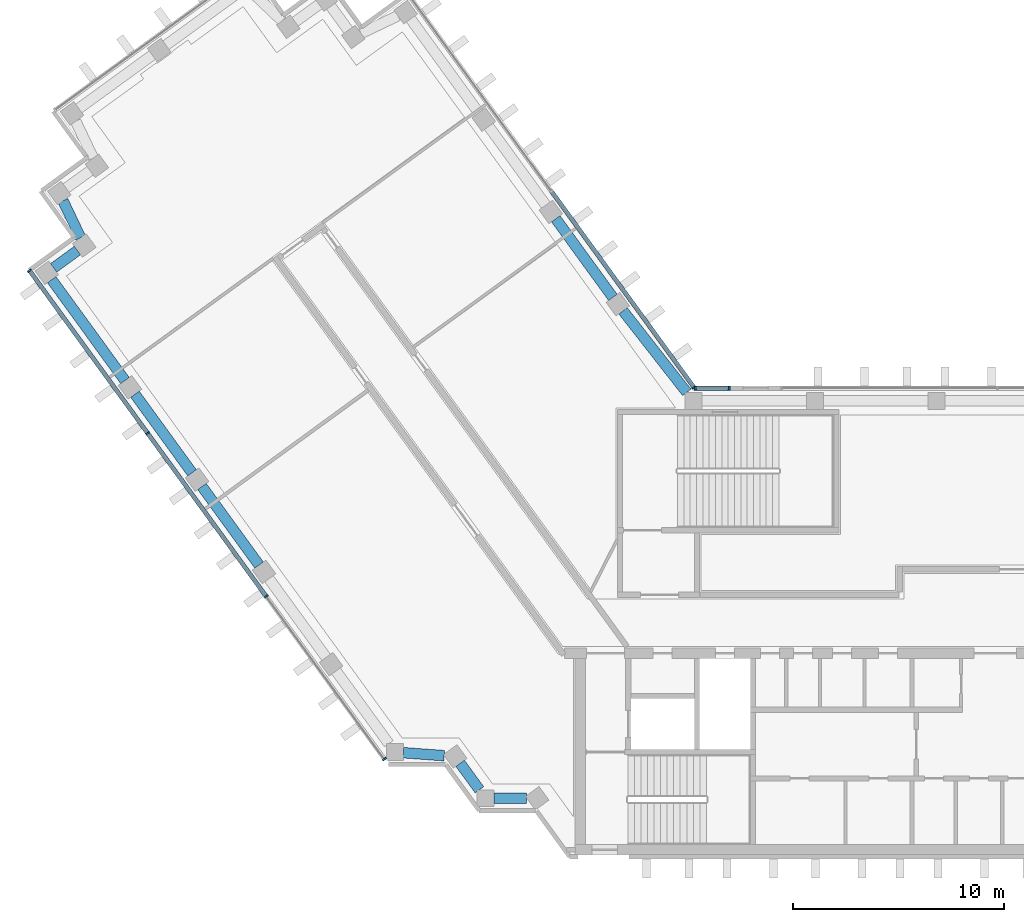
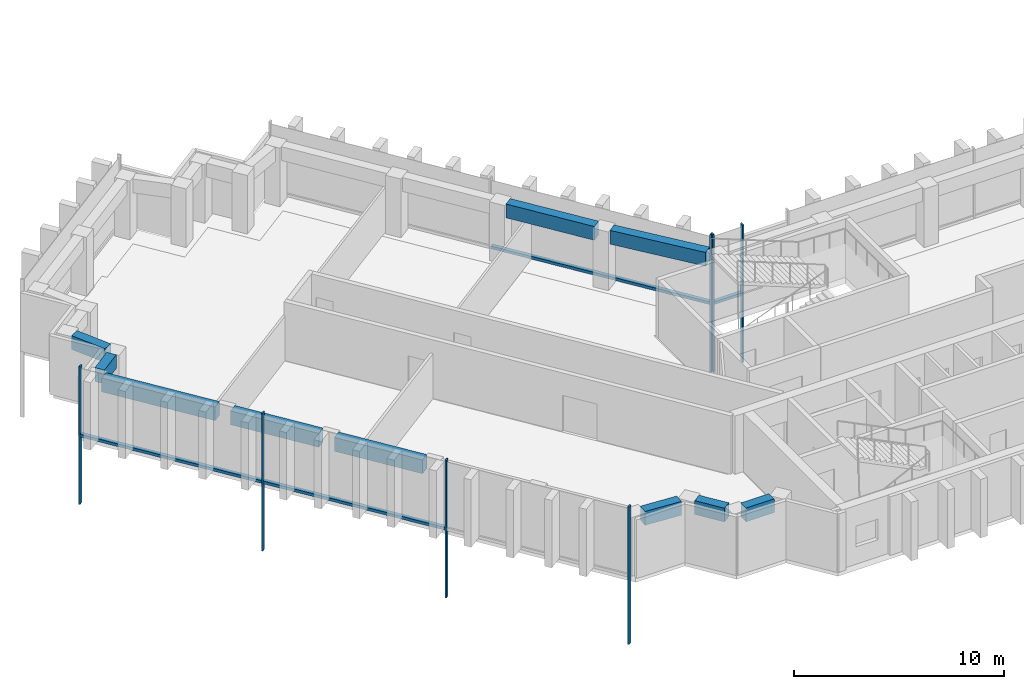
# One storey, part 2 of 13: 11 members, 10 beams, 3 elements without a shape of their own.
"""IFC4 building model written with IfcOpenShell, lengths in metres."""

from ifc_helpers import new_model, si_unit, direction, frame, origin, origin_2d, place, context, subcontext, project, spatial, rectangle, extrude, material, material_profile, profile_set, type_object, element, aggregate, save


model = new_model("IFC4")

# Units and contexts
model_context = context("Model", 3, precision=1e-05, world=origin(), true_north=direction((0.0, 1.0)))
body_context = subcontext(model_context, "Body", "Model", "MODEL_VIEW")
ifc_project = project(units=[si_unit("LENGTHUNIT", "METRE"), si_unit("AREAUNIT", "SQUARE_METRE"), si_unit("VOLUMEUNIT", "CUBIC_METRE"), si_unit("PLANEANGLEUNIT", "RADIAN"), si_unit("MASSUNIT", "GRAM", prefix="KILO")], contexts=[model_context])

# Site, building, storey
site_placement = place(None, origin())
site = spatial("IfcSite", under=ifc_project, at=site_placement, CompositionType="ELEMENT")
building_placement = place(site_placement, origin())
building = spatial("IfcBuilding", under=site, at=building_placement, Name="Quipu Civic Tower", CompositionType="ELEMENT")
storey_placement = place(building_placement, frame((0.0, 0.0, 184.0)))
storey = spatial("IfcBuildingStorey", under=building, at=storey_placement, Name="L43", CompositionType="ELEMENT", Elevation=184.0)

# Curtain wall, member
ifc_material_1 = material(Name="Insulated glass unit", Category="glass")
curtain_wall_type = type_object("IfcCurtainWallType", Name="Office curtain wall CW1", PredefinedType="NOTDEFINED", material=ifc_material_1)
curtain_wall_1_placement = place(storey_placement, origin())
curtain_wall_1 = element("IfcCurtainWall", 1, at=curtain_wall_1_placement, inside=storey, type_object=curtain_wall_type, Name="Office curtain wall CW1 L42 run 1", PredefinedType="NOTDEFINED")
ifc_material_2 = material(Name="Anodised aluminium", Category="aluminium")
ifc_material_profile_1 = material_profile(ifc_material_2, rectangle(XDim=0.199951171875, YDim=0.080078125, at=origin_2d()), Name="RECT 200x80")
ifc_profile_set_1 = profile_set([ifc_material_profile_1], Name="Anodised aluminium")
member_type_1 = type_object("IfcMemberType", Name="Mullion CW1", PredefinedType="MULLION", material=ifc_profile_set_1)
member_1_placement = place(storey_placement, frame((-14.36767578125, 11.13232421875, -3.919921875), z_axis=(0.0, 0.0, 1.0), x_axis=(-0.809014469803, -0.587788727052, 0.0)))
member_1 = element("IfcMember", 2, at=member_1_placement, type_object=member_type_1, Name="CW1 mullion 1", PredefinedType="MULLION", context=body_context, shape_type="SweptSolid", body=[
    extrude(rectangle(XDim=0.199951171875, YDim=0.080078125, at=origin_2d()), origin(), (0.0, 0.0, 1.0), 8.0),
])

# Curtain wall, members
curtain_wall_2_placement = place(storey_placement, origin())
curtain_wall_2 = element("IfcCurtainWall", 3, at=curtain_wall_2_placement, inside=storey, type_object=curtain_wall_type, Name="Office curtain wall CW1 L42 run 8", PredefinedType="NOTDEFINED")
member_2_placement = place(storey_placement, frame((-45.825927734375, 16.661865234375, -3.919921875), z_axis=(0.0, 0.0, 1.0), x_axis=(0.80901667469, 0.5877856923, 0.0)))
member_2 = element("IfcMember", 4, at=member_2_placement, type_object=member_type_1, Name="CW1 mullion 1", PredefinedType="MULLION", context=body_context, shape_type="SweptSolid", body=[
    extrude(rectangle(XDim=0.199951171875, YDim=0.080078125, at=origin_2d()), origin(), (0.0, 0.0, 1.0), 8.0),
])
member_3_placement = place(storey_placement, frame((-40.23486328125, 8.966552734375, -3.919921875), z_axis=(0.0, 0.0, 1.0), x_axis=(0.80901667469, 0.5877856923, 0.0)))
member_3 = element("IfcMember", 5, at=member_3_placement, type_object=member_type_1, Name="CW1 mullion 2", PredefinedType="MULLION", context=body_context, shape_type="SweptSolid", body=[
    extrude(rectangle(XDim=0.199951171875, YDim=0.080078125, at=origin_2d()), origin(), (0.0, 0.0, 1.0), 8.0),
])
member_4_placement = place(storey_placement, frame((-34.620361328125, 1.23876953125, -3.919921875), z_axis=(0.0, 0.0, 1.0), x_axis=(0.80901667469, 0.5877856923, 0.0)))
member_4 = element("IfcMember", 6, at=member_4_placement, type_object=member_type_1, Name="CW1 mullion 3", PredefinedType="MULLION", context=body_context, shape_type="SweptSolid", body=[
    extrude(rectangle(XDim=0.199951171875, YDim=0.080078125, at=origin_2d()), origin(), (0.0, 0.0, 1.0), 8.0),
])
member_5_placement = place(storey_placement, frame((-29.029296875, -6.45654296875, -3.919921875), z_axis=(0.0, 0.0, 1.0), x_axis=(0.80901667469, 0.5877856923, 0.0)))
member_5 = element("IfcMember", 7, at=member_5_placement, type_object=member_type_1, Name="CW1 mullion 4", PredefinedType="MULLION", context=body_context, shape_type="SweptSolid", body=[
    extrude(rectangle(XDim=0.199951171875, YDim=0.080078125, at=origin_2d()), origin(), (0.0, 0.0, 1.0), 8.0),
])

curtain_wall_3_placement = place(storey_placement, origin())
curtain_wall_3 = element("IfcCurtainWall", 8, at=curtain_wall_3_placement, inside=storey, type_object=curtain_wall_type, Name="Office curtain wall CW1 L42 run 35", PredefinedType="NOTDEFINED")
member_6_placement = place(storey_placement, frame((-12.695068359375, 11.10009765625, -3.919921875), z_axis=(0.0, 0.0, 1.0), x_axis=(0.0, -1.0, 0.0)))
member_6 = element("IfcMember", 9, at=member_6_placement, type_object=member_type_1, Name="CW1 mullion 1", PredefinedType="MULLION", context=body_context, shape_type="SweptSolid", body=[
    extrude(rectangle(XDim=0.199951171875, YDim=0.080078125, at=origin_2d()), origin(), (0.0, 0.0, 1.0), 8.0),
])
member_7_placement = place(storey_placement, frame((-14.30419921875, 11.10009765625, -3.919921875), z_axis=(0.0, 0.0, 1.0), x_axis=(0.0, -1.0, 0.0)))
member_7 = element("IfcMember", 10, at=member_7_placement, type_object=member_type_1, Name="CW1 mullion 2", PredefinedType="MULLION", context=body_context, shape_type="SweptSolid", body=[
    extrude(rectangle(XDim=0.199951171875, YDim=0.080078125, at=origin_2d()), origin(), (0.0, 0.0, 1.0), 8.0),
])

# Beams
ifc_material_3 = material(Name="Concrete C50/60", Category="concrete")
ifc_material_profile_2 = material_profile(ifc_material_3, rectangle(XDim=0.5, YDim=0.800048828125, at=origin_2d()), Name="RC500x800")
ifc_profile_set_2 = profile_set([ifc_material_profile_2], Name="Concrete C50/60")
beam_type = type_object("IfcBeamType", Name="Spandrel beam RC 500x800 C50/60", PredefinedType="SPANDREL", material=ifc_profile_set_2)
beam_1_placement = place(storey_placement, frame((-18.208740234375, 15.398681640625, 3.0), z_axis=(-0.58776136044, 0.809034352283, 0.0), x_axis=(-0.809034352283, -0.58776136044, 0.0)))
element("IfcBeam", 11, at=beam_1_placement, inside=storey, type_object=beam_type, Name="Spandrel beam L43 W-IN-01 to W-IN-02", PredefinedType="SPANDREL", context=body_context, shape_type="SweptSolid", body=[
    extrude(rectangle(XDim=0.5, YDim=0.800048828125, at=origin_2d()), origin(), (0.0, 0.0, 1.0), 4.599853515625),
])
beam_2_placement = place(storey_placement, frame((-44.23974609375, 19.9677734375, 3.0), z_axis=(0.430785642718, -0.902454281406, 0.0), x_axis=(0.902454281406, 0.430785642718, 0.0)))
element("IfcBeam", 12, at=beam_2_placement, inside=storey, type_object=beam_type, Name="Spandrel beam L43 T-Wo.2-W34 to T-Wo.3-W34", PredefinedType="SPANDREL", context=body_context, shape_type="SweptSolid", body=[
    extrude(rectangle(XDim=0.5, YDim=0.800048828125, at=origin_2d()), origin(), (0.0, 0.0, 1.0), 1.934814453125),
])
beam_3_placement = place(storey_placement, frame((-43.554443359375, 17.619140625, 3.0), z_axis=(-0.808600329101, -0.588358315805, 0.0), x_axis=(0.588358315805, -0.808600329101, 0.0)))
element("IfcBeam", 13, at=beam_3_placement, inside=storey, type_object=beam_type, Name="Spandrel beam L43 T-Wo.3-W34 to T-Wo.4-W34", PredefinedType="SPANDREL", context=body_context, shape_type="SweptSolid", body=[
    extrude(rectangle(XDim=0.5, YDim=0.800048828125, at=origin_2d()), origin(), (0.0, 0.0, 1.0), 1.400146484375),
])
beam_4_placement = place(storey_placement, frame((-44.77490234375, 16.236328125, 3.0), z_axis=(0.58780026889, -0.809006083965, 0.0), x_axis=(0.809006083965, 0.58780026889, 0.0)))
element("IfcBeam", 14, at=beam_4_placement, inside=storey, type_object=beam_type, Name="Spandrel beam L43 T-Wo.4-W34 to W-OUT-04", PredefinedType="SPANDREL", context=body_context, shape_type="SweptSolid", body=[
    extrude(rectangle(XDim=0.5, YDim=0.800048828125, at=origin_2d()), origin(), (0.0, 0.0, 1.0), 5.902587890625),
])
beam_5_placement = place(storey_placement, frame((-40.835205078125, 10.81396484375, 3.0), z_axis=(0.587770861189, -0.809027449928, 0.0), x_axis=(0.809027449928, 0.587770861189, 0.0)))
element("IfcBeam", 15, at=beam_5_placement, inside=storey, type_object=beam_type, Name="Spandrel beam L43 W-OUT-04 to W-OUT-03", PredefinedType="SPANDREL", context=body_context, shape_type="SweptSolid", body=[
    extrude(rectangle(XDim=0.5, YDim=0.800048828125, at=origin_2d()), origin(), (0.0, 0.0, 1.0), 4.60009765625),
])
beam_6_placement = place(storey_placement, frame((-37.6611328125, 6.445068359375, 3.0), z_axis=(0.58776136044, -0.809034352283, 0.0), x_axis=(0.809034352283, 0.58776136044, 0.0)))
element("IfcBeam", 16, at=beam_6_placement, inside=storey, type_object=beam_type, Name="Spandrel beam L43 W-OUT-03 to W-OUT-02", PredefinedType="SPANDREL", context=body_context, shape_type="SweptSolid", body=[
    extrude(rectangle(XDim=0.5, YDim=0.800048828125, at=origin_2d()), origin(), (0.0, 0.0, 1.0), 4.599853515625),
])
beam_7_placement = place(storey_placement, frame((-28.125, -6.158935546875, 3.0), z_axis=(0.997370796499, -0.072467194581, 0.0), x_axis=(0.072467194581, 0.997370796499, 0.0)))
element("IfcBeam", 17, at=beam_7_placement, inside=storey, type_object=beam_type, Name="Spandrel beam L43 J-Wo.0 to J-Wo.1", PredefinedType="SPANDREL", context=body_context, shape_type="SweptSolid", body=[
    extrude(rectangle(XDim=0.5, YDim=0.800048828125, at=origin_2d()), origin(), (0.0, 0.0, 1.0), 1.933837890625),
])
beam_8_placement = place(storey_placement, frame((-25.43896484375, -6.660400390625, 3.0), z_axis=(0.588330737135, -0.808620395329, 0.0), x_axis=(0.808620395329, 0.588330737135, 0.0)))
element("IfcBeam", 18, at=beam_8_placement, inside=storey, type_object=beam_type, Name="Spandrel beam L43 J-Wo.1 to J-Wo.2", PredefinedType="SPANDREL", context=body_context, shape_type="SweptSolid", body=[
    extrude(rectangle(XDim=0.5, YDim=0.800048828125, at=origin_2d()), origin(), (0.0, 0.0, 1.0), 1.551513671875),
])
beam_9_placement = place(storey_placement, frame((-23.8349609375, -8.31494140625, 3.0), z_axis=(1.0, 0.0, 0.0), x_axis=(0.0, 1.0, 0.0)))
element("IfcBeam", 19, at=beam_9_placement, inside=storey, type_object=beam_type, Name="Spandrel beam L43 J-Wo.2 to J-Wo.3", PredefinedType="SPANDREL", context=body_context, shape_type="SweptSolid", body=[
    extrude(rectangle(XDim=0.5, YDim=0.800048828125, at=origin_2d()), origin(), (0.0, 0.0, 1.0), 1.548828125),
])
beam_10_placement = place(storey_placement, frame((-14.7080078125, 10.89990234375, 3.0), z_axis=(-0.616090612932, 0.787675286306, 0.0), x_axis=(-0.787675286306, -0.616090612932, 0.0)))
element("IfcBeam", 20, at=beam_10_placement, inside=storey, type_object=beam_type, Name="Spandrel beam L43 J-Wi.0 to W-IN-01", PredefinedType="SPANDREL", context=body_context, shape_type="SweptSolid", body=[
    extrude(rectangle(XDim=0.5, YDim=0.800048828125, at=origin_2d()), origin(), (0.0, 0.0, 1.0), 4.900390625),
])

# Member
ifc_material_4 = material(Name="Anodised aluminium", Category="aluminium")
ifc_material_profile_3 = material_profile(ifc_material_4, rectangle(XDim=0.199951171875, YDim=0.159912109375, at=origin_2d()), Name="RECT 200x160")
ifc_profile_set_3 = profile_set([ifc_material_profile_3], Name="Anodised aluminium")
member_type_2 = type_object("IfcMemberType", Name="Transom CW1", PredefinedType="USERDEFINED", material=ifc_profile_set_3)
member_8_placement = place(storey_placement, frame((-14.39111328125, 11.164794921875, 0.080078125), z_axis=(-0.587799878401, 0.809006367683, 0.0), x_axis=(-0.809006367683, -0.587799878401, 0.0)))
member_8 = element("IfcMember", 21, at=member_8_placement, type_object=member_type_2, Name="CW1 transom 1.2", ObjectType="TRANSOM", PredefinedType="USERDEFINED", context=body_context, shape_type="SweptSolid", body=[
    extrude(rectangle(XDim=0.199951171875, YDim=0.159912109375, at=origin_2d()), origin(), (0.0, 0.0, 1.0), 11.402099609375),
])

aggregate(curtain_wall_1, [member_1, member_8])

member_9_placement = place(storey_placement, frame((-45.802490234375, 16.629638671875, 0.080078125), z_axis=(0.587783783239, -0.809018061703, 0.0), x_axis=(0.809018061703, 0.587783783239, 0.0)))
member_9 = element("IfcMember", 22, at=member_9_placement, type_object=member_type_2, Name="CW1 transom 1.2", ObjectType="TRANSOM", PredefinedType="USERDEFINED", context=body_context, shape_type="SweptSolid", body=[
    extrude(rectangle(XDim=0.199951171875, YDim=0.159912109375, at=origin_2d()), origin(), (0.0, 0.0, 1.0), 9.431884765625),
])

member_10_placement = place(storey_placement, frame((-40.21142578125, 8.934326171875, 0.080078125), z_axis=(0.587773158676, -0.809025780763, 0.0), x_axis=(0.809025780763, 0.587773158676, 0.0)))
member_10 = element("IfcMember", 23, at=member_10_placement, type_object=member_type_2, Name="CW1 transom 2.2", ObjectType="TRANSOM", PredefinedType="USERDEFINED", context=body_context, shape_type="SweptSolid", body=[
    extrude(rectangle(XDim=0.199951171875, YDim=0.159912109375, at=origin_2d()), origin(), (0.0, 0.0, 1.0), 9.471923828125),
])

aggregate(curtain_wall_2, [member_2, member_3, member_4, member_5, member_9, member_10])

member_11_placement = place(storey_placement, frame((-12.735107421875, 11.10009765625, 0.080078125), z_axis=(-1.0, 0.0, 0.0), x_axis=(0.0, -1.0, 0.0)))
member_11 = element("IfcMember", 24, at=member_11_placement, type_object=member_type_2, Name="CW1 transom 1.2", ObjectType="TRANSOM", PredefinedType="USERDEFINED", context=body_context, shape_type="SweptSolid", body=[
    extrude(rectangle(XDim=0.199951171875, YDim=0.159912109375, at=origin_2d()), origin(), (0.0, 0.0, 1.0), 1.529052734375),
])

aggregate(curtain_wall_3, [member_6, member_7, member_11])

save(model, "model.ifc")
